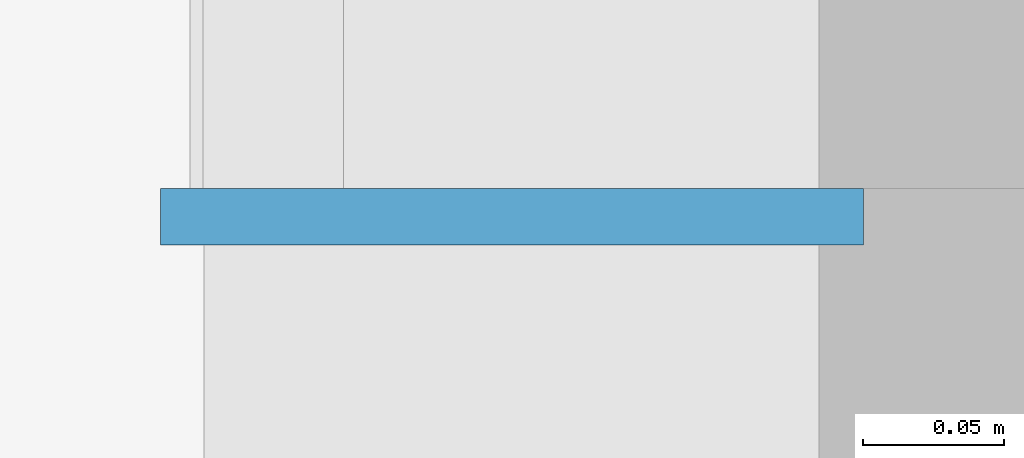
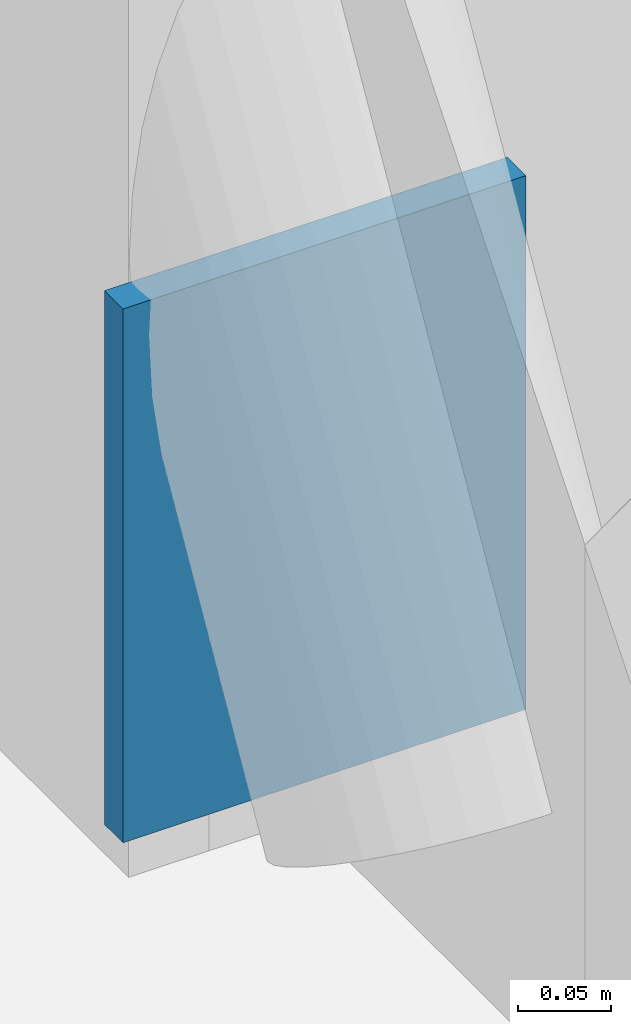
# One storey, part 44 of 63: 1 discrete accessory.
"""IFC4 building model written with IfcOpenShell, lengths in metres."""

from ifc_helpers import new_model, si_unit, direction, frame, origin, origin_2d, place, context, subcontext, project, spatial, rectangle, extrude, element, save


model = new_model("IFC4")

# Units and contexts
model_context = context("Model", 3, precision=1e-05, world=origin(), true_north=direction((0.0, 1.0)))
body_context = subcontext(model_context, "Body", "Model", "MODEL_VIEW")
ifc_project = project(units=[si_unit("LENGTHUNIT", "METRE"), si_unit("AREAUNIT", "SQUARE_METRE"), si_unit("VOLUMEUNIT", "CUBIC_METRE"), si_unit("PLANEANGLEUNIT", "RADIAN"), si_unit("MASSUNIT", "GRAM", prefix="KILO")], contexts=[model_context])

# Site, building, storey
site_placement = place(None, origin())
site = spatial("IfcSite", under=ifc_project, at=site_placement, CompositionType="ELEMENT")
building_placement = place(site_placement, origin())
building = spatial("IfcBuilding", under=site, at=building_placement, Name="Halyard Row Museum", CompositionType="ELEMENT")
storey_placement = place(building_placement, origin())
storey = spatial("IfcBuildingStorey", under=building, at=storey_placement, Name="L00", CompositionType="ELEMENT", Elevation=0.0)

# Discrete accessory
discrete_accessory_placement = place(storey_placement, frame((27.0, 22.5, 0.215087890625), z_axis=(0.0, -1.0, 0.0), x_axis=(1.0, 0.0, 0.0)))
element("IfcDiscreteAccessory", 1, at=discrete_accessory_placement, inside=storey, Name="Brace L00 X27 22.5-27 A cast-in plate", PredefinedType="ANCHORPLATE", context=body_context, shape_type="SweptSolid", body=[
    extrude(rectangle(XDim=0.25, YDim=0.35009765625, at=origin_2d()), origin(), (0.0, 0.0, 1.0), 0.02001953125),
])

save(model, "model.ifc")
